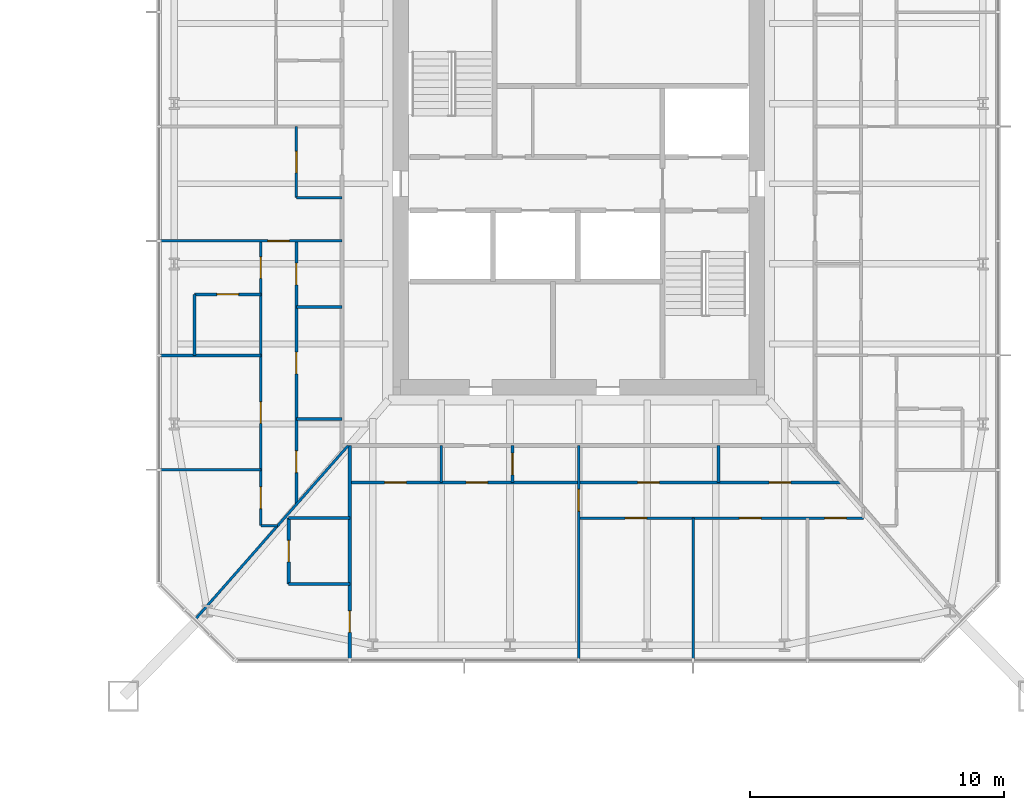
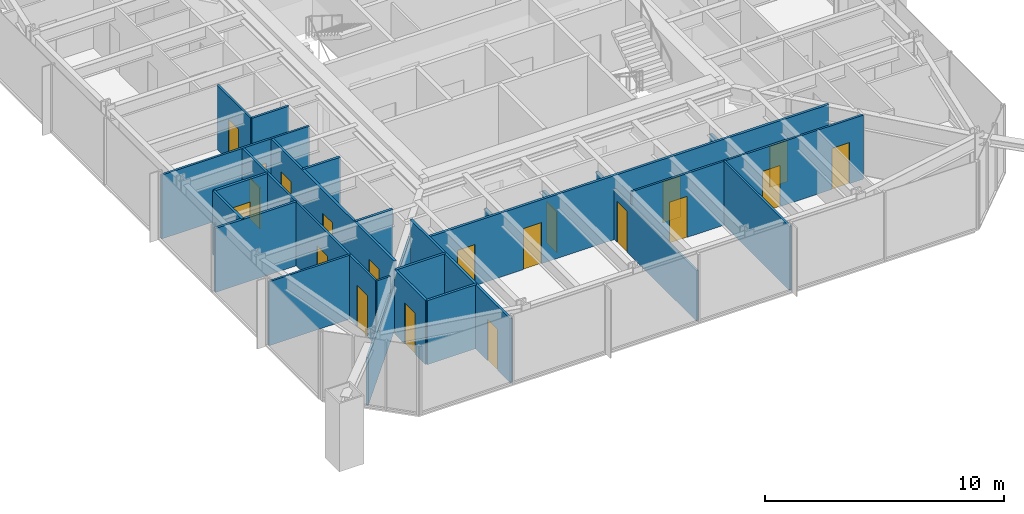
# One storey, part 18 of 26: 24 walls, 20 doors, 20 openings.
"""IFC4 building model written with IfcOpenShell, lengths in metres."""

import ifcopenshell
import ifcopenshell.guid

model = None  # the IFC model being written
_history = None  # IfcOwnerHistory: only IFC2X3 demands one
_inside = {}  # id of a spatial element -> (the spatial element, [elements in it])
_under = {}  # id of a project, library or spatial element -> (it, [spatial elements below it])
_declared = {}  # id of a project -> (the project, [libraries it declares])
_typed = {}  # id of a type object -> (the type object, [elements of that type])
_made_of = {}  # id of a material, layer set ... -> (it, [elements and type objects made of it])


def new_model(schema):
    """Start an empty IFC model of exactly this schema.

    Asked for "IFC4X3", IfcOpenShell would pick the latest addendum, in which some entities
    have other attributes; the version numbers below select the first issue.
    IFC2X3 requires an IfcOwnerHistory on every rooted entity: one is made here for all.
    """
    global model, _history
    if schema == "IFC4X3":
        model = ifcopenshell.file(schema_version=(4, 3, 0, 0))
    else:
        model = ifcopenshell.file(schema=schema)
    _inside.clear()
    _under.clear()
    _declared.clear()
    _typed.clear()
    _made_of.clear()
    _history = None
    if model.schema == "IFC2X3":
        org = make("IfcOrganization", Name="unknown")
        user = make(
            "IfcPersonAndOrganization",
            ThePerson=make("IfcPerson", FamilyName="unknown"),
            TheOrganization=org,
        )
        app = make(
            "IfcApplication",
            ApplicationDeveloper=org,
            Version="unknown",
            ApplicationFullName="unknown",
            ApplicationIdentifier="unknown",
        )
        _history = make(
            "IfcOwnerHistory",
            OwningUser=user,
            OwningApplication=app,
            ChangeAction="ADDED",
            CreationDate=0,
        )
    return model


def make(cls, **values):
    """One entity of the class cls with the attributes given. An attribute that is None is left unset."""
    return model.create_entity(
        cls, **{name: value for name, value in values.items() if value is not None}
    )


def rooted(cls, **values):
    """An entity with a GlobalId (a new one), such as an element, a storey or a relation."""
    return make(cls, GlobalId=ifcopenshell.guid.new(), OwnerHistory=_history, **values)


def si_unit(unit_type, name, prefix=None):
    """IfcSIUnit, for example si_unit("LENGTHUNIT", "METRE", prefix="MILLI")."""
    return make("IfcSIUnit", UnitType=unit_type, Prefix=prefix, Name=name)


def assignment(units):
    """IfcUnitAssignment: the units of a project."""
    return None if units is None else make("IfcUnitAssignment", Units=units)


def point(xyz):
    """IfcCartesianPoint."""
    return None if xyz is None else make("IfcCartesianPoint", Coordinates=xyz)


def direction(xyz):
    """IfcDirection."""
    return None if xyz is None else make("IfcDirection", DirectionRatios=xyz)


def frame(location, z_axis=None, x_axis=None):
    """IfcAxis2Placement3D, a coordinate frame: its origin and axes. An axis left out is left unset."""
    return make(
        "IfcAxis2Placement3D",
        Location=point(location),
        Axis=direction(z_axis),
        RefDirection=direction(x_axis),
    )


def frame_2d(location, x_axis=None):
    """IfcAxis2Placement2D, a coordinate frame in the plane: its origin and x axis."""
    return make(
        "IfcAxis2Placement2D", Location=point(location), RefDirection=direction(x_axis)
    )


def origin():
    """The frame at (0, 0, 0) with its axes left unset."""
    return frame((0.0, 0.0, 0.0))


def place(relative_to, where):
    """IfcLocalPlacement: puts the frame where relative to a parent placement (None: the world)."""
    return make(
        "IfcLocalPlacement", PlacementRelTo=relative_to, RelativePlacement=where
    )


def context(
    kind, dimensions, precision=None, world=None, true_north=None, identifier=None
):
    """IfcGeometricRepresentationContext, for example the 3D "Model" context."""
    return make(
        "IfcGeometricRepresentationContext",
        ContextIdentifier=identifier,
        ContextType=kind,
        CoordinateSpaceDimension=dimensions,
        Precision=precision,
        WorldCoordinateSystem=world,
        TrueNorth=true_north,
    )


def subcontext(parent, identifier, kind, view, scale=None):
    """IfcGeometricRepresentationSubContext, for example "Body" below "Model"."""
    return make(
        "IfcGeometricRepresentationSubContext",
        ContextIdentifier=identifier,
        ContextType=kind,
        ParentContext=parent,
        TargetScale=scale,
        TargetView=view,
    )


def project(units=None, contexts=None):
    """IfcProject with its units and contexts."""
    return rooted(
        "IfcProject",
        Name="project",
        RepresentationContexts=contexts,
        UnitsInContext=assignment(units),
    )


def spatial(cls, under=None, at=None, **own):
    """A site, building, storey or space (cls), placed at a placement, below another one or the project."""
    s = rooted(cls, ObjectPlacement=at, **own)
    if under is not None:
        _under.setdefault(under.id(), (under, []))[1].append(s)
    return s


def profile(cls, at=None, kind="AREA", **sizes):
    """A parametric profile (cls). Its sizes go by their IFC names, for example OverallWidth=200.0."""
    return make(cls, ProfileType=kind, Position=at, **sizes)


def rectangle(**sizes):
    """IfcRectangleProfileDef."""
    return profile("IfcRectangleProfileDef", **sizes)


def extrude(swept, where, along, depth):
    """IfcExtrudedAreaSolid: the profile swept, set in the frame where, extruded along a direction by depth."""
    return make(
        "IfcExtrudedAreaSolid",
        SweptArea=swept,
        Position=where,
        ExtrudedDirection=direction(along),
        Depth=depth,
    )


def shape(context_of_items, identifier, shape_type, items):
    """IfcShapeRepresentation: the items that make up one representation, for example the "Body"."""
    return make(
        "IfcShapeRepresentation",
        ContextOfItems=context_of_items,
        RepresentationIdentifier=identifier,
        RepresentationType=shape_type,
        Items=items,
    )


def material(Name=None, Category=None):
    """IfcMaterial."""
    return make("IfcMaterial", Name=Name, Category=Category)


def layer(
    of_material, thickness, ventilated=None, Name=None, Category=None, Priority=None
):
    """IfcMaterialLayer: one layer of a wall or slab, of a material (None: an air gap)."""
    return make(
        "IfcMaterialLayer",
        Material=of_material,
        LayerThickness=thickness,
        IsVentilated=ventilated,
        Name=Name,
        Category=Category,
        Priority=Priority,
    )


def layer_set(layers, Name=None):
    """IfcMaterialLayerSet."""
    return make("IfcMaterialLayerSet", MaterialLayers=layers, LayerSetName=Name)


def made_of(thing, what):
    """Note that an element or type object is made of a material, layer set ...; save() writes the relation."""
    if what is not None:
        _made_of.setdefault(what.id(), (what, []))[1].append(thing)
    return thing


def type_object(cls, material=None, **own):
    """A type object (cls), such as IfcWallType, which elements share."""
    return made_of(rooted(cls, **own), material)


def element(
    cls,
    number,
    at=None,
    inside=None,
    cuts=None,
    type_object=None,
    material=None,
    context=None,
    identifier="Body",
    shape_type=None,
    held_by="IfcProductDefinitionShape",
    body=None,
    shapes=None,
    **own,
):
    """One element of the class cls, such as IfcWall. Its Tag is "e" and its number.

    at: its placement. inside: the storey or other place that contains it. cuts: it is an
    opening in that element (IfcRelVoidsElement). A single representation is given by context,
    identifier, shape_type and body (its items); several are given by shapes. held_by: the class
    of the entity that holds the representations. save() writes the other relations.
    """
    e = rooted(cls, Tag="e%d" % number, ObjectPlacement=at, **own)
    if body is not None:
        shapes = [shape(context, identifier, shape_type, body)]
    if shapes is not None:
        e.Representation = make(held_by, Representations=shapes)
    if inside is not None:
        _inside.setdefault(inside.id(), (inside, []))[1].append(e)
    if cuts is not None:
        rooted(
            "IfcRelVoidsElement", RelatingBuildingElement=cuts, RelatedOpeningElement=e
        )
    if type_object is not None:
        _typed.setdefault(type_object.id(), (type_object, []))[1].append(e)
    return made_of(e, material)


def fill(opening, filler):
    """IfcRelFillsElement: the door or window that sits in an opening."""
    return rooted(
        "IfcRelFillsElement",
        RelatingOpeningElement=opening,
        RelatedBuildingElement=filler,
    )


def aggregate(whole, parts):
    """IfcRelAggregates: a whole, such as a stair, and the parts it consists of."""
    return rooted("IfcRelAggregates", RelatingObject=whole, RelatedObjects=parts)


def save(model, path):
    """Write the relations noted so far, then the file.

    IfcRelAggregates (storeys below a building ...), IfcRelContainedInSpatialStructure (elements
    in a storey), IfcRelDefinesByType, IfcRelAssociatesMaterial and IfcRelDeclares: one each for
    every whole, place, type object, material and project.
    """
    for whole, parts in _under.values():
        aggregate(whole, parts)
    for where, things in _inside.values():
        rooted(
            "IfcRelContainedInSpatialStructure",
            RelatedElements=things,
            RelatingStructure=where,
        )
    for kind, things in _typed.values():
        rooted("IfcRelDefinesByType", RelatedObjects=things, RelatingType=kind)
    for what, things in _made_of.values():
        rooted("IfcRelAssociatesMaterial", RelatedObjects=things, RelatingMaterial=what)
    for by, libraries in _declared.values():
        rooted("IfcRelDeclares", RelatingContext=by, RelatedDefinitions=libraries)
    model.write(path)


model = new_model("IFC4")

# Units and contexts
model_context = context("Model", 3, precision=1e-05, world=origin(), true_north=direction((0.0, 1.0)))
body_context = subcontext(model_context, "Body", "Model", "MODEL_VIEW")
ifc_project = project(units=[si_unit("LENGTHUNIT", "METRE"), si_unit("AREAUNIT", "SQUARE_METRE"), si_unit("VOLUMEUNIT", "CUBIC_METRE"), si_unit("PLANEANGLEUNIT", "RADIAN"), si_unit("MASSUNIT", "GRAM", prefix="KILO")], contexts=[model_context])

# Site, building, storey
site_placement = place(None, origin())
site = spatial("IfcSite", under=ifc_project, at=site_placement, CompositionType="ELEMENT")
building_placement = place(site_placement, origin())
building = spatial("IfcBuilding", under=site, at=building_placement, Name="Iwan Alto Co-Living Towers", CompositionType="ELEMENT")
storey_placement = place(building_placement, frame((0.0, 0.0, 46.5)))
storey = spatial("IfcBuildingStorey", under=building, at=storey_placement, Name="L12", CompositionType="ELEMENT", Elevation=46.5)

# Wall
ifc_material_1 = material(Name="Gypsum board")
ifc_layer_1 = layer(ifc_material_1, 0.012451171875, Name="Board", Category="Finish")
ifc_material_2 = material(Name="Steel ASTM A1003 ST33H cold-formed studs", Category="steel")
ifc_layer_2 = layer(ifc_material_2, 0.074951171875, Name="Studs", Category="Framing")
ifc_layer_3 = layer(ifc_material_1, 0.012451171875, Name="Board", Category="Finish")
ifc_layer_set_1 = layer_set([ifc_layer_1, ifc_layer_2, ifc_layer_3], Name="PARTITION 100")
wall_type_1 = type_object("IfcWallType", Name="PARTITION 100", PredefinedType="PARTITIONING", material=ifc_layer_set_1)
wall_1_placement = place(storey_placement, frame((50.5, -13.449951171875, 0.0), z_axis=(0.0, 0.0, 1.0), x_axis=(1.0, 0.0, 0.0)))
element("IfcWall", 1, at=wall_1_placement, inside=storey, type_object=wall_type_1, Name="Partition L12", PredefinedType="PARTITIONING", context=body_context, shape_type="SweptSolid", body=[
    extrude(rectangle(XDim=0.6640625, YDim=0.10009765625, at=frame_2d((0.33203125, 0.0))), origin(), (0.0, 0.0, 1.0), 3.27001953125),
])

# Wall, openings, doors
wall_2_placement = place(storey_placement, frame((63.0, -13.14990234375, 0.0), z_axis=(0.0, 0.0, 1.0), x_axis=(1.0, 0.0, 0.0)))
wall_2 = element("IfcWall", 2, at=wall_2_placement, inside=storey, type_object=wall_type_1, Name="Partition L12", PredefinedType="PARTITIONING", context=body_context, shape_type="SweptSolid", body=[
    extrude(rectangle(XDim=11.199951171875, YDim=0.10009765625, at=frame_2d((5.60009765625, 0.0))), origin(), (0.0, 0.0, 1.0), 3.27001953125),
])
opening_1_placement = place(wall_2_placement, frame((1.824951171875, 0.0, 0.0)))
opening_1 = element("IfcOpeningElement", 3, at=opening_1_placement, cuts=wall_2, Name="Opening D2", PredefinedType="OPENING", context=body_context, shape_type="SweptSolid", body=[
    extrude(rectangle(XDim=0.85009765625, YDim=2.10009765625, at=frame_2d((0.425048828125, 1.050048828125))), frame((0.0, 0.06005859375, 0.0), z_axis=(0.0, -1.0, 0.0), x_axis=(1.0, 0.0, 0.0)), (0.0, 0.0, 1.0), 0.1201171875),
])
opening_2_placement = place(wall_2_placement, frame((6.324951171875, 0.0, 0.0)))
opening_2 = element("IfcOpeningElement", 4, at=opening_2_placement, cuts=wall_2, Name="Opening D2", PredefinedType="OPENING", context=body_context, shape_type="SweptSolid", body=[
    extrude(rectangle(XDim=0.85009765625, YDim=2.10009765625, at=frame_2d((0.425048828125, 1.050048828125))), frame((0.0, 0.06005859375, 0.0), z_axis=(0.0, -1.0, 0.0), x_axis=(1.0, 0.0, 0.0)), (0.0, 0.0, 1.0), 0.1201171875),
])
opening_3_placement = place(wall_2_placement, frame((9.675048828125, 0.0, 0.0)))
opening_3 = element("IfcOpeningElement", 5, at=opening_3_placement, cuts=wall_2, Name="Opening D2", PredefinedType="OPENING", context=body_context, shape_type="SweptSolid", body=[
    extrude(rectangle(XDim=0.85009765625, YDim=2.10009765625, at=frame_2d((0.425048828125, 1.050048828125))), frame((0.0, 0.06005859375, 0.0), z_axis=(0.0, -1.0, 0.0), x_axis=(1.0, 0.0, 0.0)), (0.0, 0.0, 1.0), 0.1201171875),
])
ifc_material_3 = material(Name="Timber leaf in steel frame", Category="steel")
door_type = type_object("IfcDoorType", Name="ROOM DOOR 850X2100", OperationType="SINGLE_SWING_LEFT", PredefinedType="DOOR", material=ifc_material_3)
door_1_placement = place(opening_1_placement, frame((0.85009765625, 0.0, 0.0), z_axis=(0.0, 0.0, 1.0), x_axis=(-1.0, 0.0, 0.0)))
door_1 = element("IfcDoor", 6, at=door_1_placement, inside=storey, type_object=door_type, Name="Study door L12", OperationType="SINGLE_SWING_RIGHT", OverallHeight=2.10009765625, OverallWidth=0.85009765625, PredefinedType="DOOR", context=body_context, shape_type="SweptSolid", body=[
    extrude(rectangle(XDim=0.85009765625, YDim=2.10009765625, at=frame_2d((0.425048828125, 1.050048828125))), frame((0.0, 0.02490234375, 0.0), z_axis=(0.0, -1.0, 0.0), x_axis=(1.0, 0.0, 0.0)), (0.0, 0.0, 1.0), 0.050048828125),
])
fill(opening_1, door_1)
door_2_placement = place(opening_2_placement, frame((0.85009765625, 0.0, 0.0), z_axis=(0.0, 0.0, 1.0), x_axis=(-1.0, 0.0, 0.0)))
door_2 = element("IfcDoor", 7, at=door_2_placement, inside=storey, type_object=door_type, Name="Bedroom door L12", OperationType="SINGLE_SWING_RIGHT", OverallHeight=2.10009765625, OverallWidth=0.85009765625, PredefinedType="DOOR", context=body_context, shape_type="SweptSolid", body=[
    extrude(rectangle(XDim=0.85009765625, YDim=2.10009765625, at=frame_2d((0.425048828125, 1.050048828125))), frame((0.0, 0.02490234375, 0.0), z_axis=(0.0, -1.0, 0.0), x_axis=(1.0, 0.0, 0.0)), (0.0, 0.0, 1.0), 0.050048828125),
])
fill(opening_2, door_2)
door_3_placement = place(opening_3_placement, frame((0.85009765625, 0.0, 0.0), z_axis=(0.0, 0.0, 1.0), x_axis=(-1.0, 0.0, 0.0)))
door_3 = element("IfcDoor", 8, at=door_3_placement, inside=storey, type_object=door_type, Name="Bedroom door L12", OperationType="SINGLE_SWING_RIGHT", OverallHeight=2.10009765625, OverallWidth=0.85009765625, PredefinedType="DOOR", context=body_context, shape_type="SweptSolid", body=[
    extrude(rectangle(XDim=0.85009765625, YDim=2.10009765625, at=frame_2d((0.425048828125, 1.050048828125))), frame((0.0, 0.02490234375, 0.0), z_axis=(0.0, -1.0, 0.0), x_axis=(1.0, 0.0, 0.0)), (0.0, 0.0, 1.0), 0.050048828125),
])
fill(opening_3, door_3)

# Wall
wall_3_placement = place(storey_placement, frame((46.56005859375, -11.25, 0.0), z_axis=(0.0, 0.0, 1.0), x_axis=(1.0, 0.0, 0.0)))
element("IfcWall", 9, at=wall_3_placement, inside=storey, type_object=wall_type_1, Name="Partition L12", PredefinedType="PARTITIONING", context=body_context, shape_type="SweptSolid", body=[
    extrude(rectangle(XDim=3.93994140625, YDim=0.10009765625, at=frame_2d((1.969970703125, 0.0))), origin(), (0.0, 0.0, 1.0), 3.27001953125),
])

# Wall, opening, door
wall_4_placement = place(storey_placement, frame((46.56005859375, -2.25, 0.0), z_axis=(0.0, 0.0, 1.0), x_axis=(1.0, 0.0, 0.0)))
wall_4 = element("IfcWall", 10, at=wall_4_placement, inside=storey, type_object=wall_type_1, Name="Partition L12", PredefinedType="PARTITIONING", context=body_context, shape_type="SweptSolid", body=[
    extrude(rectangle(XDim=7.139892578125, YDim=0.10009765625, at=frame_2d((3.56982421875, 0.0))), origin(), (0.0, 0.0, 1.0), 3.27001953125),
])
opening_4_placement = place(wall_4_placement, frame((4.215087890625, 0.0, 0.0)))
opening_4 = element("IfcOpeningElement", 11, at=opening_4_placement, cuts=wall_4, Name="Opening D2", PredefinedType="OPENING", context=body_context, shape_type="SweptSolid", body=[
    extrude(rectangle(XDim=0.85009765625, YDim=2.10009765625, at=frame_2d((0.425048828125, 1.050048828125))), frame((0.0, 0.06005859375, 0.0), z_axis=(0.0, -1.0, 0.0), x_axis=(1.0, 0.0, 0.0)), (0.0, 0.0, 1.0), 0.1201171875),
])
door_4_placement = place(opening_4_placement, origin())
door_4 = element("IfcDoor", 12, at=door_4_placement, inside=storey, type_object=door_type, Name="Apartment hall door L12", OperationType="SINGLE_SWING_RIGHT", OverallHeight=2.10009765625, OverallWidth=0.85009765625, PredefinedType="DOOR", context=body_context, shape_type="SweptSolid", body=[
    extrude(rectangle(XDim=0.85009765625, YDim=2.10009765625, at=frame_2d((0.425048828125, 1.050048828125))), frame((0.0, 0.02490234375, 0.0), z_axis=(0.0, -1.0, 0.0), x_axis=(1.0, 0.0, 0.0)), (0.0, 0.0, 1.0), 0.050048828125),
])
fill(opening_4, door_4)

# Walls
wall_5_placement = place(storey_placement, frame((51.89990234375, -0.550048828125, 0.0), z_axis=(0.0, 0.0, 1.0), x_axis=(1.0, 0.0, 0.0)))
element("IfcWall", 13, at=wall_5_placement, inside=storey, type_object=wall_type_1, Name="Partition L12", PredefinedType="PARTITIONING", context=body_context, shape_type="SweptSolid", body=[
    extrude(rectangle(XDim=1.800048828125, YDim=0.10009765625, at=frame_2d((0.89990234375, 0.0))), origin(), (0.0, 0.0, 1.0), 3.27001953125),
])
wall_6_placement = place(storey_placement, frame((47.944091796875, -17.10888671875, 0.0), z_axis=(0.0, 0.0, 1.0), x_axis=(0.660638210404, 0.750704439146, 0.0)))
element("IfcWall", 14, at=wall_6_placement, inside=storey, type_object=wall_type_1, Name="Partition L12", PredefinedType="PARTITIONING", context=body_context, shape_type="SweptSolid", body=[
    extrude(rectangle(XDim=9.06982421875, YDim=0.10009765625, at=frame_2d((4.534912109375, 0.0))), origin(), (0.0, 0.0, 1.0), 2.42919921875),
])
wall_7_placement = place(storey_placement, frame((67.5, -18.68994140625, 0.0), z_axis=(0.0, 0.0, 1.0), x_axis=(0.0, 1.0, 0.0)))
element("IfcWall", 15, at=wall_7_placement, inside=storey, type_object=wall_type_1, Name="Partition L12", PredefinedType="PARTITIONING", context=body_context, shape_type="SweptSolid", body=[
    extrude(rectangle(XDim=5.5400390625, YDim=0.10009765625, at=frame_2d((2.77001953125, 0.0))), origin(), (0.0, 0.0, 1.0), 3.27001953125),
])

# Wall, opening, door
wall_8_placement = place(storey_placement, frame((63.0, -18.68994140625, 0.0), z_axis=(0.0, 0.0, 1.0), x_axis=(0.0, 1.0, 0.0)))
wall_8 = element("IfcWall", 16, at=wall_8_placement, inside=storey, type_object=wall_type_1, Name="Partition L12", PredefinedType="PARTITIONING", context=body_context, shape_type="SweptSolid", body=[
    extrude(rectangle(XDim=8.389892578125, YDim=0.10009765625, at=frame_2d((4.19482421875, 0.0))), origin(), (0.0, 0.0, 1.0), 2.586669921875),
])
opening_5_placement = place(wall_8_placement, frame((5.81494140625, 0.0, 0.0)))
opening_5 = element("IfcOpeningElement", 17, at=opening_5_placement, cuts=wall_8, Name="Opening D2", PredefinedType="OPENING", context=body_context, shape_type="SweptSolid", body=[
    extrude(rectangle(XDim=0.85009765625, YDim=2.10009765625, at=frame_2d((0.425048828125, 1.050048828125))), frame((0.0, 0.06005859375, 0.0), z_axis=(0.0, -1.0, 0.0), x_axis=(1.0, 0.0, 0.0)), (0.0, 0.0, 1.0), 0.1201171875),
])
door_5_placement = place(opening_5_placement, origin())
door_5 = element("IfcDoor", 18, at=door_5_placement, inside=storey, type_object=door_type, Name="Apartment hall door L12", OperationType="SINGLE_SWING_RIGHT", OverallHeight=2.10009765625, OverallWidth=0.85009765625, PredefinedType="DOOR", context=body_context, shape_type="SweptSolid", body=[
    extrude(rectangle(XDim=0.85009765625, YDim=2.10009765625, at=frame_2d((0.425048828125, 1.050048828125))), frame((0.0, 0.02490234375, 0.0), z_axis=(0.0, -1.0, 0.0), x_axis=(1.0, 0.0, 0.0)), (0.0, 0.0, 1.0), 0.050048828125),
])
fill(opening_5, door_5)

# Wall
wall_9_placement = place(storey_placement, frame((57.60009765625, -11.75, 0.0), z_axis=(0.0, 0.0, 1.0), x_axis=(0.0, 1.0, 0.0)))
element("IfcWall", 19, at=wall_9_placement, inside=storey, type_object=wall_type_1, Name="Partition L12", PredefinedType="PARTITIONING", context=body_context, shape_type="SweptSolid", body=[
    extrude(rectangle(XDim=1.449951171875, YDim=0.10009765625, at=frame_2d((0.72509765625, 0.0))), origin(), (0.0, 0.0, 1.0), 2.586669921875),
])

# Wall, opening, door
wall_10_placement = place(storey_placement, frame((51.89990234375, -0.550048828125, 0.0), z_axis=(0.0, 0.0, 1.0), x_axis=(0.0, 1.0, 0.0)))
wall_10 = element("IfcWall", 20, at=wall_10_placement, inside=storey, type_object=wall_type_1, Name="Partition L12", PredefinedType="PARTITIONING", context=body_context, shape_type="SweptSolid", body=[
    extrude(rectangle(XDim=2.800048828125, YDim=0.10009765625, at=frame_2d((1.39990234375, 0.0))), origin(), (0.0, 0.0, 1.0), 3.27001953125),
])
opening_6_placement = place(wall_10_placement, frame((0.97509765625, 0.0, 0.0)))
opening_6 = element("IfcOpeningElement", 21, at=opening_6_placement, cuts=wall_10, Name="Opening D2", PredefinedType="OPENING", context=body_context, shape_type="SweptSolid", body=[
    extrude(rectangle(XDim=0.85009765625, YDim=2.10009765625, at=frame_2d((0.425048828125, 1.050048828125))), frame((0.0, 0.06005859375, 0.0), z_axis=(0.0, -1.0, 0.0), x_axis=(1.0, 0.0, 0.0)), (0.0, 0.0, 1.0), 0.1201171875),
])
door_6_placement = place(opening_6_placement, origin())
door_6 = element("IfcDoor", 22, at=door_6_placement, inside=storey, type_object=door_type, Name="Apartment foyer door L12", OperationType="SINGLE_SWING_RIGHT", OverallHeight=2.10009765625, OverallWidth=0.85009765625, PredefinedType="DOOR", context=body_context, shape_type="SweptSolid", body=[
    extrude(rectangle(XDim=0.85009765625, YDim=2.10009765625, at=frame_2d((0.425048828125, 1.050048828125))), frame((0.0, 0.02490234375, 0.0), z_axis=(0.0, -1.0, 0.0), x_axis=(1.0, 0.0, 0.0)), (0.0, 0.0, 1.0), 0.050048828125),
])
fill(opening_6, door_6)

# Wall, openings, doors
wall_11_placement = place(storey_placement, frame((50.5, -13.449951171875, 0.0), z_axis=(0.0, 0.0, 1.0), x_axis=(0.0, 1.0, 0.0)))
wall_11 = element("IfcWall", 23, at=wall_11_placement, inside=storey, type_object=wall_type_1, Name="Partition L12", PredefinedType="PARTITIONING", context=body_context, shape_type="SweptSolid", body=[
    extrude(rectangle(XDim=11.199951171875, YDim=0.10009765625, at=frame_2d((5.60009765625, 0.0))), origin(), (0.0, 0.0, 1.0), 3.27001953125),
])
opening_7_placement = place(wall_11_placement, frame((9.72509765625, 0.0, 0.0)))
opening_7 = element("IfcOpeningElement", 24, at=opening_7_placement, cuts=wall_11, Name="Opening D2", PredefinedType="OPENING", context=body_context, shape_type="SweptSolid", body=[
    extrude(rectangle(XDim=0.85009765625, YDim=2.10009765625, at=frame_2d((0.425048828125, 1.050048828125))), frame((0.0, 0.06005859375, 0.0), z_axis=(0.0, -1.0, 0.0), x_axis=(1.0, 0.0, 0.0)), (0.0, 0.0, 1.0), 0.1201171875),
])
opening_8_placement = place(wall_11_placement, frame((4.02490234375, 0.0, 0.0)))
opening_8 = element("IfcOpeningElement", 25, at=opening_8_placement, cuts=wall_11, Name="Opening D2", PredefinedType="OPENING", context=body_context, shape_type="SweptSolid", body=[
    extrude(rectangle(XDim=0.85009765625, YDim=2.10009765625, at=frame_2d((0.425048828125, 1.050048828125))), frame((0.0, 0.06005859375, 0.0), z_axis=(0.0, -1.0, 0.0), x_axis=(1.0, 0.0, 0.0)), (0.0, 0.0, 1.0), 0.1201171875),
])
opening_9_placement = place(wall_11_placement, frame((0.675048828125, 0.0, 0.0)))
opening_9 = element("IfcOpeningElement", 26, at=opening_9_placement, cuts=wall_11, Name="Opening D2", PredefinedType="OPENING", context=body_context, shape_type="SweptSolid", body=[
    extrude(rectangle(XDim=0.85009765625, YDim=2.10009765625, at=frame_2d((0.425048828125, 1.050048828125))), frame((0.0, 0.06005859375, 0.0), z_axis=(0.0, -1.0, 0.0), x_axis=(1.0, 0.0, 0.0)), (0.0, 0.0, 1.0), 0.1201171875),
])
door_7_placement = place(opening_7_placement, origin())
door_7 = element("IfcDoor", 27, at=door_7_placement, inside=storey, type_object=door_type, Name="Bedroom door L12", OperationType="SINGLE_SWING_LEFT", OverallHeight=2.10009765625, OverallWidth=0.85009765625, PredefinedType="DOOR", context=body_context, shape_type="SweptSolid", body=[
    extrude(rectangle(XDim=0.85009765625, YDim=2.10009765625, at=frame_2d((0.425048828125, 1.050048828125))), frame((0.0, 0.02490234375, 0.0), z_axis=(0.0, -1.0, 0.0), x_axis=(1.0, 0.0, 0.0)), (0.0, 0.0, 1.0), 0.050048828125),
])
fill(opening_7, door_7)
door_8_placement = place(opening_8_placement, origin())
door_8 = element("IfcDoor", 28, at=door_8_placement, inside=storey, type_object=door_type, Name="Bedroom door L12", OperationType="SINGLE_SWING_LEFT", OverallHeight=2.10009765625, OverallWidth=0.85009765625, PredefinedType="DOOR", context=body_context, shape_type="SweptSolid", body=[
    extrude(rectangle(XDim=0.85009765625, YDim=2.10009765625, at=frame_2d((0.425048828125, 1.050048828125))), frame((0.0, 0.02490234375, 0.0), z_axis=(0.0, -1.0, 0.0), x_axis=(1.0, 0.0, 0.0)), (0.0, 0.0, 1.0), 0.050048828125),
])
fill(opening_8, door_8)
door_9_placement = place(opening_9_placement, origin())
door_9 = element("IfcDoor", 29, at=door_9_placement, inside=storey, type_object=door_type, Name="Bedroom door L12", OperationType="SINGLE_SWING_RIGHT", OverallHeight=2.10009765625, OverallWidth=0.85009765625, PredefinedType="DOOR", context=body_context, shape_type="SweptSolid", body=[
    extrude(rectangle(XDim=0.85009765625, YDim=2.10009765625, at=frame_2d((0.425048828125, 1.050048828125))), frame((0.0, 0.02490234375, 0.0), z_axis=(0.0, -1.0, 0.0), x_axis=(1.0, 0.0, 0.0)), (0.0, 0.0, 1.0), 0.050048828125),
])
fill(opening_9, door_9)

# Walls
ifc_material_4 = material(Name="Cement board")
ifc_layer_4 = layer(ifc_material_4, 0.012451171875, Name="Board", Category="Finish")
ifc_layer_5 = layer(ifc_material_2, 0.094970703125, Name="Studs", Category="Framing")
ifc_layer_6 = layer(ifc_material_4, 0.012451171875, Name="Board", Category="Finish")
ifc_layer_set_2 = layer_set([ifc_layer_4, ifc_layer_5, ifc_layer_6], Name="WET AREA PARTITION 120")
wall_type_2 = type_object("IfcWallType", Name="WET AREA PARTITION 120", PredefinedType="PARTITIONING", material=ifc_layer_set_2)
for number, where, z_axis, x_axis, name in (
    (30, (51.60009765625, -15.75, 0.0), (0.0, 0.0, 1.0), (1.0, 0.0, 0.0), "Partition L12"),
    (31, (51.60009765625, -13.14990234375, 0.0), (0.0, 0.0, 1.0), (1.0, 0.0, 0.0), "Partition L12"),
):
    element("IfcWall", number, at=place(storey_placement, frame(where, z_axis=z_axis, x_axis=x_axis)), inside=storey, type_object=wall_type_2, Name=name, PredefinedType="PARTITIONING", context=body_context, shape_type="SweptSolid", body=[
        extrude(rectangle(XDim=2.39990234375, YDim=0.1201171875, at=frame_2d((1.199951171875, 0.0))), origin(), (0.0, 0.0, 1.0), 3.27001953125),
    ])

# Wall, openings, doors
wall_12_placement = place(storey_placement, frame((54.0, -11.75, 0.0), z_axis=(0.0, 0.0, 1.0), x_axis=(1.0, 0.0, 0.0)))
wall_12 = element("IfcWall", 32, at=wall_12_placement, inside=storey, type_object=wall_type_2, Name="Partition L12", PredefinedType="PARTITIONING", context=body_context, shape_type="SweptSolid", body=[
    extrude(rectangle(XDim=19.340087890625, YDim=0.1201171875, at=frame_2d((9.669921875, 0.0))), origin(), (0.0, 0.0, 1.0), 3.27001953125),
])
opening_10_placement = place(wall_12_placement, frame((1.375, 0.0, 0.0)))
opening_10 = element("IfcOpeningElement", 33, at=opening_10_placement, cuts=wall_12, Name="Opening D2", PredefinedType="OPENING", context=body_context, shape_type="SweptSolid", body=[
    extrude(rectangle(XDim=0.85009765625, YDim=2.10009765625, at=frame_2d((0.425048828125, 1.050048828125))), frame((0.0, 0.070068359375, 0.0), z_axis=(0.0, -1.0, 0.0), x_axis=(1.0, 0.0, 0.0)), (0.0, 0.0, 1.0), 0.14013671875),
])
opening_11_placement = place(wall_12_placement, frame((4.574951171875, 0.0, 0.0)))
opening_11 = element("IfcOpeningElement", 34, at=opening_11_placement, cuts=wall_12, Name="Opening D2", PredefinedType="OPENING", context=body_context, shape_type="SweptSolid", body=[
    extrude(rectangle(XDim=0.85009765625, YDim=2.10009765625, at=frame_2d((0.425048828125, 1.050048828125))), frame((0.0, 0.070068359375, 0.0), z_axis=(0.0, -1.0, 0.0), x_axis=(1.0, 0.0, 0.0)), (0.0, 0.0, 1.0), 0.14013671875),
])
opening_12_placement = place(wall_12_placement, frame((11.324951171875, 0.0, 0.0)))
opening_12 = element("IfcOpeningElement", 35, at=opening_12_placement, cuts=wall_12, Name="Opening D2", PredefinedType="OPENING", context=body_context, shape_type="SweptSolid", body=[
    extrude(rectangle(XDim=0.85009765625, YDim=2.10009765625, at=frame_2d((0.425048828125, 1.050048828125))), frame((0.0, 0.070068359375, 0.0), z_axis=(0.0, -1.0, 0.0), x_axis=(1.0, 0.0, 0.0)), (0.0, 0.0, 1.0), 0.14013671875),
])
opening_13_placement = place(wall_12_placement, frame((16.4951171875, 0.0, 0.0)))
opening_13 = element("IfcOpeningElement", 36, at=opening_13_placement, cuts=wall_12, Name="Opening D2", PredefinedType="OPENING", context=body_context, shape_type="SweptSolid", body=[
    extrude(rectangle(XDim=0.85009765625, YDim=2.10009765625, at=frame_2d((0.425048828125, 1.050048828125))), frame((0.0, 0.070068359375, 0.0), z_axis=(0.0, -1.0, 0.0), x_axis=(1.0, 0.0, 0.0)), (0.0, 0.0, 1.0), 0.14013671875),
])
door_10_placement = place(opening_10_placement, frame((0.85009765625, 0.0, 0.0), z_axis=(0.0, 0.0, 1.0), x_axis=(-1.0, 0.0, 0.0)))
door_10 = element("IfcDoor", 37, at=door_10_placement, inside=storey, type_object=door_type, Name="Kitchen door L12", OperationType="SINGLE_SWING_RIGHT", OverallHeight=2.10009765625, OverallWidth=0.85009765625, PredefinedType="DOOR", context=body_context, shape_type="SweptSolid", body=[
    extrude(rectangle(XDim=0.85009765625, YDim=2.10009765625, at=frame_2d((0.425048828125, 1.050048828125))), frame((0.0, 0.02490234375, 0.0), z_axis=(0.0, -1.0, 0.0), x_axis=(1.0, 0.0, 0.0)), (0.0, 0.0, 1.0), 0.050048828125),
])
fill(opening_10, door_10)
door_11_placement = place(opening_11_placement, frame((0.85009765625, 0.0, 0.0), z_axis=(0.0, 0.0, 1.0), x_axis=(-1.0, 0.0, 0.0)))
door_11 = element("IfcDoor", 38, at=door_11_placement, inside=storey, type_object=door_type, Name="Apartment foyer door L12", OperationType="SINGLE_SWING_LEFT", OverallHeight=2.10009765625, OverallWidth=0.85009765625, PredefinedType="DOOR", context=body_context, shape_type="SweptSolid", body=[
    extrude(rectangle(XDim=0.85009765625, YDim=2.10009765625, at=frame_2d((0.425048828125, 1.050048828125))), frame((0.0, 0.02490234375, 0.0), z_axis=(0.0, -1.0, 0.0), x_axis=(1.0, 0.0, 0.0)), (0.0, 0.0, 1.0), 0.050048828125),
])
fill(opening_11, door_11)
door_12_placement = place(opening_12_placement, origin())
door_12 = element("IfcDoor", 39, at=door_12_placement, inside=storey, type_object=door_type, Name="Utility room door L12", OperationType="SINGLE_SWING_LEFT", OverallHeight=2.10009765625, OverallWidth=0.85009765625, PredefinedType="DOOR", context=body_context, shape_type="SweptSolid", body=[
    extrude(rectangle(XDim=0.85009765625, YDim=2.10009765625, at=frame_2d((0.425048828125, 1.050048828125))), frame((0.0, 0.02490234375, 0.0), z_axis=(0.0, -1.0, 0.0), x_axis=(1.0, 0.0, 0.0)), (0.0, 0.0, 1.0), 0.050048828125),
])
fill(opening_12, door_12)
door_13_placement = place(opening_13_placement, origin())
door_13 = element("IfcDoor", 40, at=door_13_placement, inside=storey, type_object=door_type, Name="Store room door L12", OperationType="SINGLE_SWING_RIGHT", OverallHeight=2.10009765625, OverallWidth=0.85009765625, PredefinedType="DOOR", context=body_context, shape_type="SweptSolid", body=[
    extrude(rectangle(XDim=0.85009765625, YDim=2.10009765625, at=frame_2d((0.425048828125, 1.050048828125))), frame((0.0, 0.02490234375, 0.0), z_axis=(0.0, -1.0, 0.0), x_axis=(1.0, 0.0, 0.0)), (0.0, 0.0, 1.0), 0.050048828125),
])
fill(opening_13, door_13)

# Walls
wall_13_placement = place(storey_placement, frame((51.89990234375, -9.25, 0.0), z_axis=(0.0, 0.0, 1.0), x_axis=(1.0, 0.0, 0.0)))
element("IfcWall", 41, at=wall_13_placement, inside=storey, type_object=wall_type_2, Name="Partition L12", PredefinedType="PARTITIONING", context=body_context, shape_type="SweptSolid", body=[
    extrude(rectangle(XDim=1.800048828125, YDim=0.1201171875, at=frame_2d((0.89990234375, 0.0))), origin(), (0.0, 0.0, 1.0), 3.27001953125),
])
wall_14_placement = place(storey_placement, frame((46.56005859375, -6.75, 0.0), z_axis=(0.0, 0.0, 1.0), x_axis=(1.0, 0.0, 0.0)))
element("IfcWall", 42, at=wall_14_placement, inside=storey, type_object=wall_type_2, Name="Partition L12", PredefinedType="PARTITIONING", context=body_context, shape_type="SweptSolid", body=[
    extrude(rectangle(XDim=3.93994140625, YDim=0.1201171875, at=frame_2d((1.969970703125, 0.0))), origin(), (0.0, 0.0, 1.0), 3.27001953125),
])
wall_15_placement = place(storey_placement, frame((51.89990234375, -4.85009765625, 0.0), z_axis=(0.0, 0.0, 1.0), x_axis=(1.0, 0.0, 0.0)))
element("IfcWall", 43, at=wall_15_placement, inside=storey, type_object=wall_type_2, Name="Partition L12", PredefinedType="PARTITIONING", context=body_context, shape_type="SweptSolid", body=[
    extrude(rectangle(XDim=1.800048828125, YDim=0.1201171875, at=frame_2d((0.89990234375, 0.0))), origin(), (0.0, 0.0, 1.0), 3.27001953125),
])

# Wall, opening, door
wall_16_placement = place(storey_placement, frame((47.89990234375, -4.35009765625, 0.0), z_axis=(0.0, 0.0, 1.0), x_axis=(1.0, 0.0, 0.0)))
wall_16 = element("IfcWall", 44, at=wall_16_placement, inside=storey, type_object=wall_type_2, Name="Partition L12", PredefinedType="PARTITIONING", context=body_context, shape_type="SweptSolid", body=[
    extrude(rectangle(XDim=2.60009765625, YDim=0.1201171875, at=frame_2d((1.300048828125, 0.0))), origin(), (0.0, 0.0, 1.0), 3.27001953125),
])
opening_14_placement = place(wall_16_placement, frame((0.875, 0.0, 0.0)))
opening_14 = element("IfcOpeningElement", 45, at=opening_14_placement, cuts=wall_16, Name="Opening D2", PredefinedType="OPENING", context=body_context, shape_type="SweptSolid", body=[
    extrude(rectangle(XDim=0.85009765625, YDim=2.10009765625, at=frame_2d((0.425048828125, 1.050048828125))), frame((0.0, 0.070068359375, 0.0), z_axis=(0.0, -1.0, 0.0), x_axis=(1.0, 0.0, 0.0)), (0.0, 0.0, 1.0), 0.14013671875),
])
door_14_placement = place(opening_14_placement, origin())
door_14 = element("IfcDoor", 46, at=door_14_placement, inside=storey, type_object=door_type, Name="En-suite shower room door L12", OperationType="SINGLE_SWING_RIGHT", OverallHeight=2.10009765625, OverallWidth=0.85009765625, PredefinedType="DOOR", context=body_context, shape_type="SweptSolid", body=[
    extrude(rectangle(XDim=0.85009765625, YDim=2.10009765625, at=frame_2d((0.425048828125, 1.050048828125))), frame((0.0, 0.02490234375, 0.0), z_axis=(0.0, -1.0, 0.0), x_axis=(1.0, 0.0, 0.0)), (0.0, 0.0, 1.0), 0.050048828125),
])
fill(opening_14, door_14)

# Wall
wall_17_placement = place(storey_placement, frame((68.5, -11.75, 0.0), z_axis=(0.0, 0.0, 1.0), x_axis=(0.0, 1.0, 0.0)))
element("IfcWall", 47, at=wall_17_placement, inside=storey, type_object=wall_type_2, Name="Partition L12", PredefinedType="PARTITIONING", context=body_context, shape_type="SweptSolid", body=[
    extrude(rectangle(XDim=1.449951171875, YDim=0.1201171875, at=frame_2d((0.72509765625, 0.0))), origin(), (0.0, 0.0, 1.0), 2.586669921875),
])

# Wall, opening, door
wall_18_placement = place(storey_placement, frame((60.39990234375, -11.75, 0.0), z_axis=(0.0, 0.0, 1.0), x_axis=(0.0, 1.0, 0.0)))
wall_18 = element("IfcWall", 48, at=wall_18_placement, inside=storey, type_object=wall_type_2, Name="Partition L12", PredefinedType="PARTITIONING", context=body_context, shape_type="SweptSolid", body=[
    extrude(rectangle(XDim=1.449951171875, YDim=0.1201171875, at=frame_2d((0.72509765625, 0.0))), origin(), (0.0, 0.0, 1.0), 2.508056640625),
])
opening_15_placement = place(wall_18_placement, frame((0.300048828125, 0.0, 0.0)))
opening_15 = element("IfcOpeningElement", 49, at=opening_15_placement, cuts=wall_18, Name="Opening D2", PredefinedType="OPENING", context=body_context, shape_type="SweptSolid", body=[
    extrude(rectangle(XDim=0.85009765625, YDim=2.10009765625, at=frame_2d((0.425048828125, 1.050048828125))), frame((0.0, 0.070068359375, 0.0), z_axis=(0.0, -1.0, 0.0), x_axis=(1.0, 0.0, 0.0)), (0.0, 0.0, 1.0), 0.14013671875),
])
door_15_placement = place(opening_15_placement, frame((0.85009765625, 0.0, 0.0), z_axis=(0.0, 0.0, 1.0), x_axis=(-1.0, 0.0, 0.0)))
door_15 = element("IfcDoor", 50, at=door_15_placement, inside=storey, type_object=door_type, Name="Shower room door L12", OperationType="SINGLE_SWING_RIGHT", OverallHeight=2.10009765625, OverallWidth=0.85009765625, PredefinedType="DOOR", context=body_context, shape_type="SweptSolid", body=[
    extrude(rectangle(XDim=0.85009765625, YDim=2.10009765625, at=frame_2d((0.425048828125, 1.050048828125))), frame((0.0, 0.02490234375, 0.0), z_axis=(0.0, -1.0, 0.0), x_axis=(1.0, 0.0, 0.0)), (0.0, 0.0, 1.0), 0.050048828125),
])
fill(opening_15, door_15)

wall_19_placement = place(storey_placement, frame((54.0, -18.68994140625, 0.0), z_axis=(0.0, 0.0, 1.0), x_axis=(0.0, 1.0, 0.0)))
wall_19 = element("IfcWall", 51, at=wall_19_placement, inside=storey, type_object=wall_type_2, Name="Partition L12", PredefinedType="PARTITIONING", context=body_context, shape_type="SweptSolid", body=[
    extrude(rectangle(XDim=8.389892578125, YDim=0.1201171875, at=frame_2d((4.19482421875, 0.0))), origin(), (0.0, 0.0, 1.0), 3.27001953125),
])
opening_16_placement = place(wall_19_placement, frame((1.044921875, 0.0, 0.0)))
opening_16 = element("IfcOpeningElement", 52, at=opening_16_placement, cuts=wall_19, Name="Opening D2", PredefinedType="OPENING", context=body_context, shape_type="SweptSolid", body=[
    extrude(rectangle(XDim=0.85009765625, YDim=2.10009765625, at=frame_2d((0.425048828125, 1.050048828125))), frame((0.0, 0.070068359375, 0.0), z_axis=(0.0, -1.0, 0.0), x_axis=(1.0, 0.0, 0.0)), (0.0, 0.0, 1.0), 0.14013671875),
])
door_16_placement = place(opening_16_placement, frame((0.85009765625, 0.0, 0.0), z_axis=(0.0, 0.0, 1.0), x_axis=(-1.0, 0.0, 0.0)))
door_16 = element("IfcDoor", 53, at=door_16_placement, inside=storey, type_object=door_type, Name="Bedroom door L12", OperationType="SINGLE_SWING_RIGHT", OverallHeight=2.10009765625, OverallWidth=0.85009765625, PredefinedType="DOOR", context=body_context, shape_type="SweptSolid", body=[
    extrude(rectangle(XDim=0.85009765625, YDim=2.10009765625, at=frame_2d((0.425048828125, 1.050048828125))), frame((0.0, 0.02490234375, 0.0), z_axis=(0.0, -1.0, 0.0), x_axis=(1.0, 0.0, 0.0)), (0.0, 0.0, 1.0), 0.050048828125),
])
fill(opening_16, door_16)

# Wall, openings, doors
wall_20_placement = place(storey_placement, frame((51.89990234375, -12.614013671875, 0.0), z_axis=(0.0, 0.0, 1.0), x_axis=(0.0, 1.0, 0.0)))
wall_20 = element("IfcWall", 54, at=wall_20_placement, inside=storey, type_object=wall_type_2, Name="Partition L12", PredefinedType="PARTITIONING", context=body_context, shape_type="SweptSolid", body=[
    extrude(rectangle(XDim=10.364013671875, YDim=0.1201171875, at=frame_2d((5.18212890625, 0.0))), origin(), (0.0, 0.0, 1.0), 3.27001953125),
])
opening_17_placement = place(wall_20_placement, frame((8.638916015625, 0.0, 0.0)))
opening_17 = element("IfcOpeningElement", 55, at=opening_17_placement, cuts=wall_20, Name="Opening D2", PredefinedType="OPENING", context=body_context, shape_type="SweptSolid", body=[
    extrude(rectangle(XDim=0.85009765625, YDim=2.10009765625, at=frame_2d((0.425048828125, 1.050048828125))), frame((0.0, 0.070068359375, 0.0), z_axis=(0.0, -1.0, 0.0), x_axis=(1.0, 0.0, 0.0)), (0.0, 0.0, 1.0), 0.14013671875),
])
opening_18_placement = place(wall_20_placement, frame((5.138916015625, 0.0, 0.0)))
opening_18 = element("IfcOpeningElement", 56, at=opening_18_placement, cuts=wall_20, Name="Opening D2", PredefinedType="OPENING", context=body_context, shape_type="SweptSolid", body=[
    extrude(rectangle(XDim=0.85009765625, YDim=2.10009765625, at=frame_2d((0.425048828125, 1.050048828125))), frame((0.0, 0.070068359375, 0.0), z_axis=(0.0, -1.0, 0.0), x_axis=(1.0, 0.0, 0.0)), (0.0, 0.0, 1.0), 0.14013671875),
])
opening_19_placement = place(wall_20_placement, frame((1.257080078125, 0.0, 0.0)))
opening_19 = element("IfcOpeningElement", 57, at=opening_19_placement, cuts=wall_20, Name="Opening D2", PredefinedType="OPENING", context=body_context, shape_type="SweptSolid", body=[
    extrude(rectangle(XDim=0.85009765625, YDim=2.10009765625, at=frame_2d((0.425048828125, 1.050048828125))), frame((0.0, 0.070068359375, 0.0), z_axis=(0.0, -1.0, 0.0), x_axis=(1.0, 0.0, 0.0)), (0.0, 0.0, 1.0), 0.14013671875),
])
door_17_placement = place(opening_17_placement, frame((0.85009765625, 0.0, 0.0), z_axis=(0.0, 0.0, 1.0), x_axis=(-1.0, 0.0, 0.0)))
door_17 = element("IfcDoor", 58, at=door_17_placement, inside=storey, type_object=door_type, Name="Bathroom door L12", OperationType="SINGLE_SWING_RIGHT", OverallHeight=2.10009765625, OverallWidth=0.85009765625, PredefinedType="DOOR", context=body_context, shape_type="SweptSolid", body=[
    extrude(rectangle(XDim=0.85009765625, YDim=2.10009765625, at=frame_2d((0.425048828125, 1.050048828125))), frame((0.0, 0.02490234375, 0.0), z_axis=(0.0, -1.0, 0.0), x_axis=(1.0, 0.0, 0.0)), (0.0, 0.0, 1.0), 0.050048828125),
])
fill(opening_17, door_17)
door_18_placement = place(opening_18_placement, frame((0.85009765625, 0.0, 0.0), z_axis=(0.0, 0.0, 1.0), x_axis=(-1.0, 0.0, 0.0)))
door_18 = element("IfcDoor", 59, at=door_18_placement, inside=storey, type_object=door_type, Name="Utility room door L12", OperationType="SINGLE_SWING_RIGHT", OverallHeight=2.10009765625, OverallWidth=0.85009765625, PredefinedType="DOOR", context=body_context, shape_type="SweptSolid", body=[
    extrude(rectangle(XDim=0.85009765625, YDim=2.10009765625, at=frame_2d((0.425048828125, 1.050048828125))), frame((0.0, 0.02490234375, 0.0), z_axis=(0.0, -1.0, 0.0), x_axis=(1.0, 0.0, 0.0)), (0.0, 0.0, 1.0), 0.050048828125),
])
fill(opening_18, door_18)
door_19_placement = place(opening_19_placement, frame((0.85009765625, 0.0, 0.0), z_axis=(0.0, 0.0, 1.0), x_axis=(-1.0, 0.0, 0.0)))
door_19 = element("IfcDoor", 60, at=door_19_placement, inside=storey, type_object=door_type, Name="Store room door L12", OperationType="SINGLE_SWING_RIGHT", OverallHeight=2.10009765625, OverallWidth=0.85009765625, PredefinedType="DOOR", context=body_context, shape_type="SweptSolid", body=[
    extrude(rectangle(XDim=0.85009765625, YDim=2.10009765625, at=frame_2d((0.425048828125, 1.050048828125))), frame((0.0, 0.02490234375, 0.0), z_axis=(0.0, -1.0, 0.0), x_axis=(1.0, 0.0, 0.0)), (0.0, 0.0, 1.0), 0.050048828125),
])
fill(opening_19, door_19)

# Wall, opening, door
wall_21_placement = place(storey_placement, frame((51.60009765625, -15.75, 0.0), z_axis=(0.0, 0.0, 1.0), x_axis=(0.0, 1.0, 0.0)))
wall_21 = element("IfcWall", 61, at=wall_21_placement, inside=storey, type_object=wall_type_2, Name="Partition L12", PredefinedType="PARTITIONING", context=body_context, shape_type="SweptSolid", body=[
    extrude(rectangle(XDim=2.60009765625, YDim=0.1201171875, at=frame_2d((1.300048828125, 0.0))), origin(), (0.0, 0.0, 1.0), 3.27001953125),
])
opening_20_placement = place(wall_21_placement, frame((0.875, 0.0, 0.0)))
opening_20 = element("IfcOpeningElement", 62, at=opening_20_placement, cuts=wall_21, Name="Opening D2", PredefinedType="OPENING", context=body_context, shape_type="SweptSolid", body=[
    extrude(rectangle(XDim=0.85009765625, YDim=2.10009765625, at=frame_2d((0.425048828125, 1.050048828125))), frame((0.0, 0.070068359375, 0.0), z_axis=(0.0, -1.0, 0.0), x_axis=(1.0, 0.0, 0.0)), (0.0, 0.0, 1.0), 0.14013671875),
])
door_20_placement = place(opening_20_placement, origin())
door_20 = element("IfcDoor", 63, at=door_20_placement, inside=storey, type_object=door_type, Name="En-suite shower room door L12", OperationType="SINGLE_SWING_RIGHT", OverallHeight=2.10009765625, OverallWidth=0.85009765625, PredefinedType="DOOR", context=body_context, shape_type="SweptSolid", body=[
    extrude(rectangle(XDim=0.85009765625, YDim=2.10009765625, at=frame_2d((0.425048828125, 1.050048828125))), frame((0.0, 0.02490234375, 0.0), z_axis=(0.0, -1.0, 0.0), x_axis=(1.0, 0.0, 0.0)), (0.0, 0.0, 1.0), 0.050048828125),
])
fill(opening_20, door_20)

# Wall
wall_22_placement = place(storey_placement, frame((47.89990234375, -6.75, 0.0), z_axis=(0.0, 0.0, 1.0), x_axis=(0.0, 1.0, 0.0)))
element("IfcWall", 64, at=wall_22_placement, inside=storey, type_object=wall_type_2, Name="Partition L12", PredefinedType="PARTITIONING", context=body_context, shape_type="SweptSolid", body=[
    extrude(rectangle(XDim=2.39990234375, YDim=0.1201171875, at=frame_2d((1.199951171875, 0.0))), origin(), (0.0, 0.0, 1.0), 3.27001953125),
])

save(model, "model.ifc")
